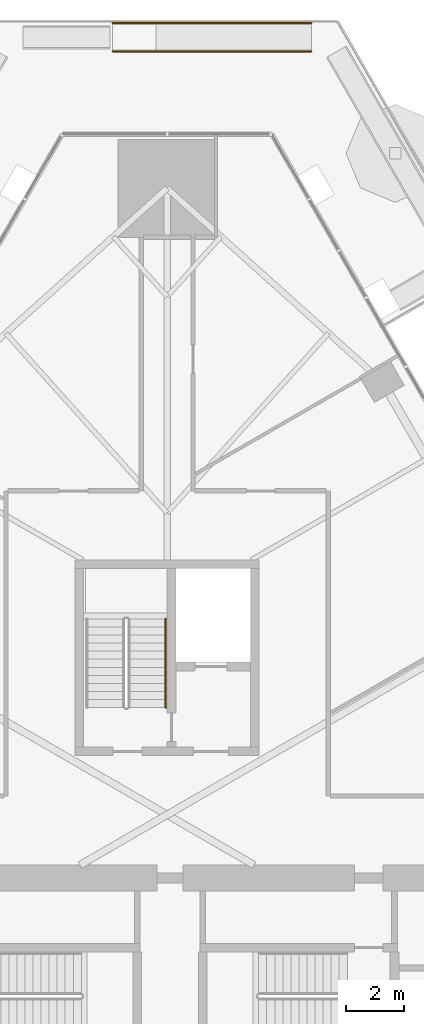
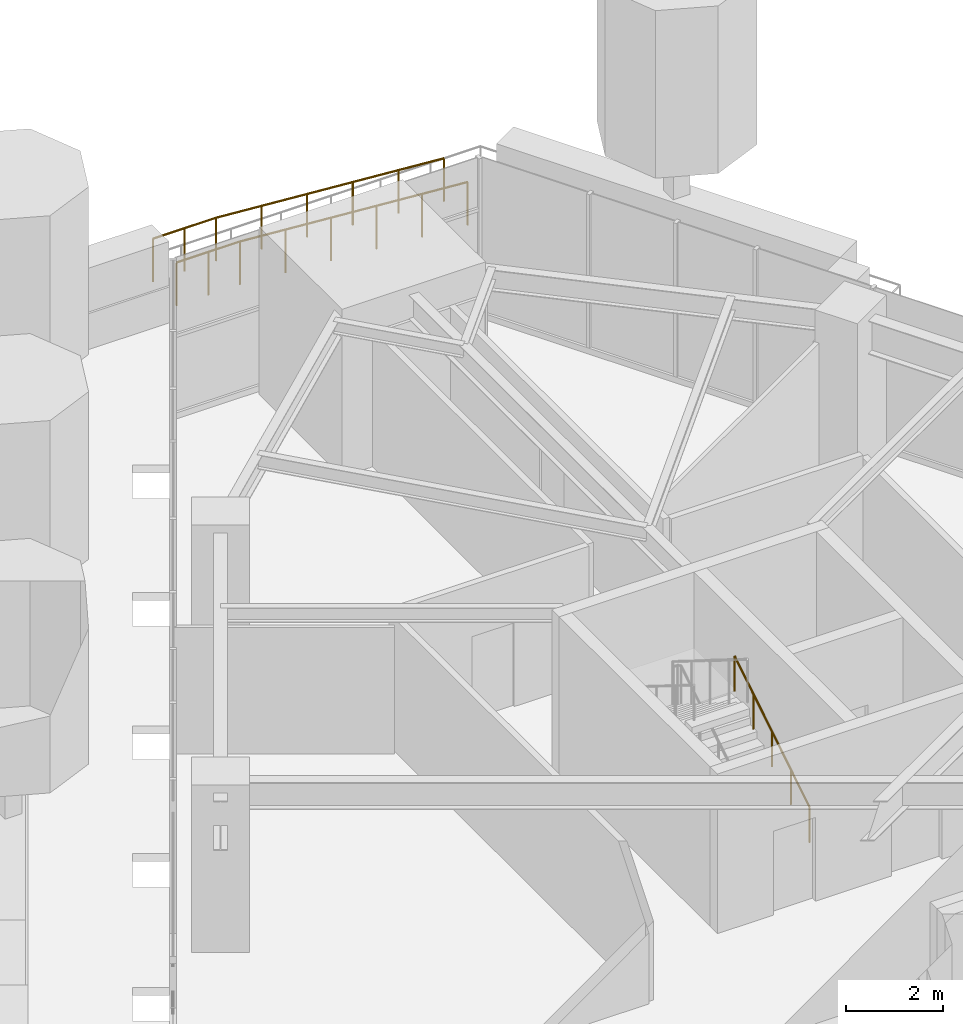
# One storey, part 23 of 25: 3 railings.
"""IFC4 building model written with IfcOpenShell, lengths in metres."""

import ifcopenshell
import ifcopenshell.guid

model = None  # the IFC model being written
_history = None  # IfcOwnerHistory: only IFC2X3 demands one
_inside = {}  # id of a spatial element -> (the spatial element, [elements in it])
_under = {}  # id of a project, library or spatial element -> (it, [spatial elements below it])
_declared = {}  # id of a project -> (the project, [libraries it declares])
_typed = {}  # id of a type object -> (the type object, [elements of that type])
_made_of = {}  # id of a material, layer set ... -> (it, [elements and type objects made of it])


def new_model(schema):
    """Start an empty IFC model of exactly this schema.

    Asked for "IFC4X3", IfcOpenShell would pick the latest addendum, in which some entities
    have other attributes; the version numbers below select the first issue.
    IFC2X3 requires an IfcOwnerHistory on every rooted entity: one is made here for all.
    """
    global model, _history
    if schema == "IFC4X3":
        model = ifcopenshell.file(schema_version=(4, 3, 0, 0))
    else:
        model = ifcopenshell.file(schema=schema)
    _inside.clear()
    _under.clear()
    _declared.clear()
    _typed.clear()
    _made_of.clear()
    _history = None
    if model.schema == "IFC2X3":
        org = make("IfcOrganization", Name="unknown")
        user = make(
            "IfcPersonAndOrganization",
            ThePerson=make("IfcPerson", FamilyName="unknown"),
            TheOrganization=org,
        )
        app = make(
            "IfcApplication",
            ApplicationDeveloper=org,
            Version="unknown",
            ApplicationFullName="unknown",
            ApplicationIdentifier="unknown",
        )
        _history = make(
            "IfcOwnerHistory",
            OwningUser=user,
            OwningApplication=app,
            ChangeAction="ADDED",
            CreationDate=0,
        )
    return model


def make(cls, **values):
    """One entity of the class cls with the attributes given. An attribute that is None is left unset."""
    return model.create_entity(
        cls, **{name: value for name, value in values.items() if value is not None}
    )


def rooted(cls, **values):
    """An entity with a GlobalId (a new one), such as an element, a storey or a relation."""
    return make(cls, GlobalId=ifcopenshell.guid.new(), OwnerHistory=_history, **values)


def si_unit(unit_type, name, prefix=None):
    """IfcSIUnit, for example si_unit("LENGTHUNIT", "METRE", prefix="MILLI")."""
    return make("IfcSIUnit", UnitType=unit_type, Prefix=prefix, Name=name)


def assignment(units):
    """IfcUnitAssignment: the units of a project."""
    return None if units is None else make("IfcUnitAssignment", Units=units)


def point(xyz):
    """IfcCartesianPoint."""
    return None if xyz is None else make("IfcCartesianPoint", Coordinates=xyz)


def direction(xyz):
    """IfcDirection."""
    return None if xyz is None else make("IfcDirection", DirectionRatios=xyz)


def frame(location, z_axis=None, x_axis=None):
    """IfcAxis2Placement3D, a coordinate frame: its origin and axes. An axis left out is left unset."""
    return make(
        "IfcAxis2Placement3D",
        Location=point(location),
        Axis=direction(z_axis),
        RefDirection=direction(x_axis),
    )


def frame_2d(location, x_axis=None):
    """IfcAxis2Placement2D, a coordinate frame in the plane: its origin and x axis."""
    return make(
        "IfcAxis2Placement2D", Location=point(location), RefDirection=direction(x_axis)
    )


def origin():
    """The frame at (0, 0, 0) with its axes left unset."""
    return frame((0.0, 0.0, 0.0))


def origin_2d():
    """The frame at (0, 0) in the plane with its x axis left unset."""
    return frame_2d((0.0, 0.0))


def place(relative_to, where):
    """IfcLocalPlacement: puts the frame where relative to a parent placement (None: the world)."""
    return make(
        "IfcLocalPlacement", PlacementRelTo=relative_to, RelativePlacement=where
    )


def context(
    kind, dimensions, precision=None, world=None, true_north=None, identifier=None
):
    """IfcGeometricRepresentationContext, for example the 3D "Model" context."""
    return make(
        "IfcGeometricRepresentationContext",
        ContextIdentifier=identifier,
        ContextType=kind,
        CoordinateSpaceDimension=dimensions,
        Precision=precision,
        WorldCoordinateSystem=world,
        TrueNorth=true_north,
    )


def subcontext(parent, identifier, kind, view, scale=None):
    """IfcGeometricRepresentationSubContext, for example "Body" below "Model"."""
    return make(
        "IfcGeometricRepresentationSubContext",
        ContextIdentifier=identifier,
        ContextType=kind,
        ParentContext=parent,
        TargetScale=scale,
        TargetView=view,
    )


def project(units=None, contexts=None):
    """IfcProject with its units and contexts."""
    return rooted(
        "IfcProject",
        Name="project",
        RepresentationContexts=contexts,
        UnitsInContext=assignment(units),
    )


def spatial(cls, under=None, at=None, **own):
    """A site, building, storey or space (cls), placed at a placement, below another one or the project."""
    s = rooted(cls, ObjectPlacement=at, **own)
    if under is not None:
        _under.setdefault(under.id(), (under, []))[1].append(s)
    return s


def profile(cls, at=None, kind="AREA", **sizes):
    """A parametric profile (cls). Its sizes go by their IFC names, for example OverallWidth=200.0."""
    return make(cls, ProfileType=kind, Position=at, **sizes)


def circle(**sizes):
    """IfcCircleProfileDef."""
    return profile("IfcCircleProfileDef", **sizes)


def extrude(swept, where, along, depth):
    """IfcExtrudedAreaSolid: the profile swept, set in the frame where, extruded along a direction by depth."""
    return make(
        "IfcExtrudedAreaSolid",
        SweptArea=swept,
        Position=where,
        ExtrudedDirection=direction(along),
        Depth=depth,
    )


def shape(context_of_items, identifier, shape_type, items):
    """IfcShapeRepresentation: the items that make up one representation, for example the "Body"."""
    return make(
        "IfcShapeRepresentation",
        ContextOfItems=context_of_items,
        RepresentationIdentifier=identifier,
        RepresentationType=shape_type,
        Items=items,
    )


def material(Name=None, Category=None):
    """IfcMaterial."""
    return make("IfcMaterial", Name=Name, Category=Category)


def made_of(thing, what):
    """Note that an element or type object is made of a material, layer set ...; save() writes the relation."""
    if what is not None:
        _made_of.setdefault(what.id(), (what, []))[1].append(thing)
    return thing


def type_object(cls, material=None, **own):
    """A type object (cls), such as IfcWallType, which elements share."""
    return made_of(rooted(cls, **own), material)


def element(
    cls,
    number,
    at=None,
    inside=None,
    cuts=None,
    type_object=None,
    material=None,
    context=None,
    identifier="Body",
    shape_type=None,
    held_by="IfcProductDefinitionShape",
    body=None,
    shapes=None,
    **own,
):
    """One element of the class cls, such as IfcWall. Its Tag is "e" and its number.

    at: its placement. inside: the storey or other place that contains it. cuts: it is an
    opening in that element (IfcRelVoidsElement). A single representation is given by context,
    identifier, shape_type and body (its items); several are given by shapes. held_by: the class
    of the entity that holds the representations. save() writes the other relations.
    """
    e = rooted(cls, Tag="e%d" % number, ObjectPlacement=at, **own)
    if body is not None:
        shapes = [shape(context, identifier, shape_type, body)]
    if shapes is not None:
        e.Representation = make(held_by, Representations=shapes)
    if inside is not None:
        _inside.setdefault(inside.id(), (inside, []))[1].append(e)
    if cuts is not None:
        rooted(
            "IfcRelVoidsElement", RelatingBuildingElement=cuts, RelatedOpeningElement=e
        )
    if type_object is not None:
        _typed.setdefault(type_object.id(), (type_object, []))[1].append(e)
    return made_of(e, material)


def aggregate(whole, parts):
    """IfcRelAggregates: a whole, such as a stair, and the parts it consists of."""
    return rooted("IfcRelAggregates", RelatingObject=whole, RelatedObjects=parts)


def save(model, path):
    """Write the relations noted so far, then the file.

    IfcRelAggregates (storeys below a building ...), IfcRelContainedInSpatialStructure (elements
    in a storey), IfcRelDefinesByType, IfcRelAssociatesMaterial and IfcRelDeclares: one each for
    every whole, place, type object, material and project.
    """
    for whole, parts in _under.values():
        aggregate(whole, parts)
    for where, things in _inside.values():
        rooted(
            "IfcRelContainedInSpatialStructure",
            RelatedElements=things,
            RelatingStructure=where,
        )
    for kind, things in _typed.values():
        rooted("IfcRelDefinesByType", RelatedObjects=things, RelatingType=kind)
    for what, things in _made_of.values():
        rooted("IfcRelAssociatesMaterial", RelatedObjects=things, RelatingMaterial=what)
    for by, libraries in _declared.values():
        rooted("IfcRelDeclares", RelatingContext=by, RelatedDefinitions=libraries)
    model.write(path)


model = new_model("IFC4")

# Units and contexts
model_context = context("Model", 3, precision=1e-05, world=origin(), true_north=direction((0.0, 1.0)))
body_context = subcontext(model_context, "Body", "Model", "MODEL_VIEW")
ifc_project = project(units=[si_unit("LENGTHUNIT", "METRE"), si_unit("AREAUNIT", "SQUARE_METRE"), si_unit("VOLUMEUNIT", "CUBIC_METRE"), si_unit("PLANEANGLEUNIT", "RADIAN"), si_unit("MASSUNIT", "GRAM", prefix="KILO")], contexts=[model_context])

# Site, building, storey
site_placement = place(None, origin())
site = spatial("IfcSite", under=ifc_project, at=site_placement, CompositionType="ELEMENT")
building_placement = place(site_placement, origin())
building = spatial("IfcBuilding", under=site, at=building_placement, Name="Firuza Gate Tower and Library", CompositionType="ELEMENT")
storey_placement = place(building_placement, frame((0.0, 0.0, 119.800048828125)))
storey = spatial("IfcBuildingStorey", under=building, at=storey_placement, Name="L27", CompositionType="ELEMENT", Elevation=119.800048828125)

# Railings
ifc_material_1 = material(Name="Steel S355", Category="steel")
railing_type_1 = type_object("IfcRailingType", Name="Garden ramp guard 1100", PredefinedType="GUARDRAIL", material=ifc_material_1)
for number, where, name in (
    (1, (80.009521484375, 112.272216796875, 0.050048828125), "Ramp guard"),
    (2, (80.009521484375, 113.252197265625, 0.050048828125), "Ramp guard"),
):
    element("IfcRailing", number, at=place(storey_placement, frame(where)), inside=storey, type_object=railing_type_1, Name=name, PredefinedType="GUARDRAIL", context=body_context, shape_type="SweptSolid", body=[
        extrude(circle(Radius=0.02392578125, at=origin_2d()), frame((0.0, 0.0, 1.076171875), z_axis=(-0.997269230488, 0.0, 0.073851756388), x_axis=(0.0, -1.0, 0.0)), (0.0, 0.0, 1.0), 5.4150390625),
        extrude(circle(Radius=0.02392578125, at=origin_2d()), frame((-5.400146484375, 0.0, 1.47607421875), z_axis=(-1.0, 0.0, 0.0), x_axis=(0.0, -1.0, 0.0)), (0.0, 0.0, 1.0), 1.5),
        extrude(circle(Radius=0.02099609375, at=origin_2d()), origin(), (0.0, 0.0, 1.0), 1.052001953125),
        extrude(circle(Radius=0.02099609375, at=origin_2d()), frame((-1.080078125, 0.0, 0.080078125)), (0.0, 0.0, 1.0), 1.052001953125),
        extrude(circle(Radius=0.02099609375, at=origin_2d()), frame((-2.16015625, 0.0, 0.159912109375)), (0.0, 0.0, 1.0), 1.052001953125),
        extrude(circle(Radius=0.02099609375, at=origin_2d()), frame((-3.239990234375, 0.0, 0.239990234375)), (0.0, 0.0, 1.0), 1.052001953125),
        extrude(circle(Radius=0.02099609375, at=origin_2d()), frame((-4.320068359375, 0.0, 0.31982421875)), (0.0, 0.0, 1.0), 1.052001953125),
        extrude(circle(Radius=0.02099609375, at=origin_2d()), frame((-5.400146484375, 0.0, 0.39990234375)), (0.0, 0.0, 1.0), 1.052001953125),
        extrude(circle(Radius=0.02099609375, at=origin_2d()), frame((-6.150146484375, 0.0, 0.39990234375)), (0.0, 0.0, 1.0), 1.052001953125),
        extrude(circle(Radius=0.02099609375, at=origin_2d()), frame((-6.900146484375, 0.0, 0.39990234375)), (0.0, 0.0, 1.0), 1.052001953125),
    ])
ifc_material_2 = material(Name="Steel S355", Category="steel")
railing_type_2 = type_object("IfcRailingType", Name="Stair handrail 900", PredefinedType="HANDRAIL", material=ifc_material_2)
railing_placement = place(storey_placement, frame((74.949951171875, 89.469970703125, 0.175048828125)))
element("IfcRailing", 3, at=railing_placement, inside=storey, type_object=railing_type_2, Name="L27 ST3 stair handrail 1", PredefinedType="HANDRAIL", context=body_context, shape_type="SweptSolid", body=[
    extrude(circle(Radius=0.02392578125, at=origin_2d()), frame((0.0, 0.0, 0.8759765625), z_axis=(0.0, 0.848028513186, 0.529950602248), x_axis=(-1.0, 0.0, 0.0)), (0.0, 0.0, 1.0), 3.632080078125),
    extrude(circle(Radius=0.02099609375, at=origin_2d()), origin(), (0.0, 0.0, 1.0), 0.851806640625),
    extrude(circle(Radius=0.02099609375, at=origin_2d()), frame((0.0, 0.77001953125, 0.481201171875)), (0.0, 0.0, 1.0), 0.851806640625),
    extrude(circle(Radius=0.02099609375, at=origin_2d()), frame((0.0, 1.5400390625, 0.96240234375)), (0.0, 0.0, 1.0), 0.851806640625),
    extrude(circle(Radius=0.02099609375, at=origin_2d()), frame((0.0, 2.31005859375, 1.443603515625)), (0.0, 0.0, 1.0), 0.851806640625),
    extrude(circle(Radius=0.02099609375, at=origin_2d()), frame((0.0, 3.080078125, 1.9248046875)), (0.0, 0.0, 1.0), 0.851806640625),
])

save(model, "model.ifc")
